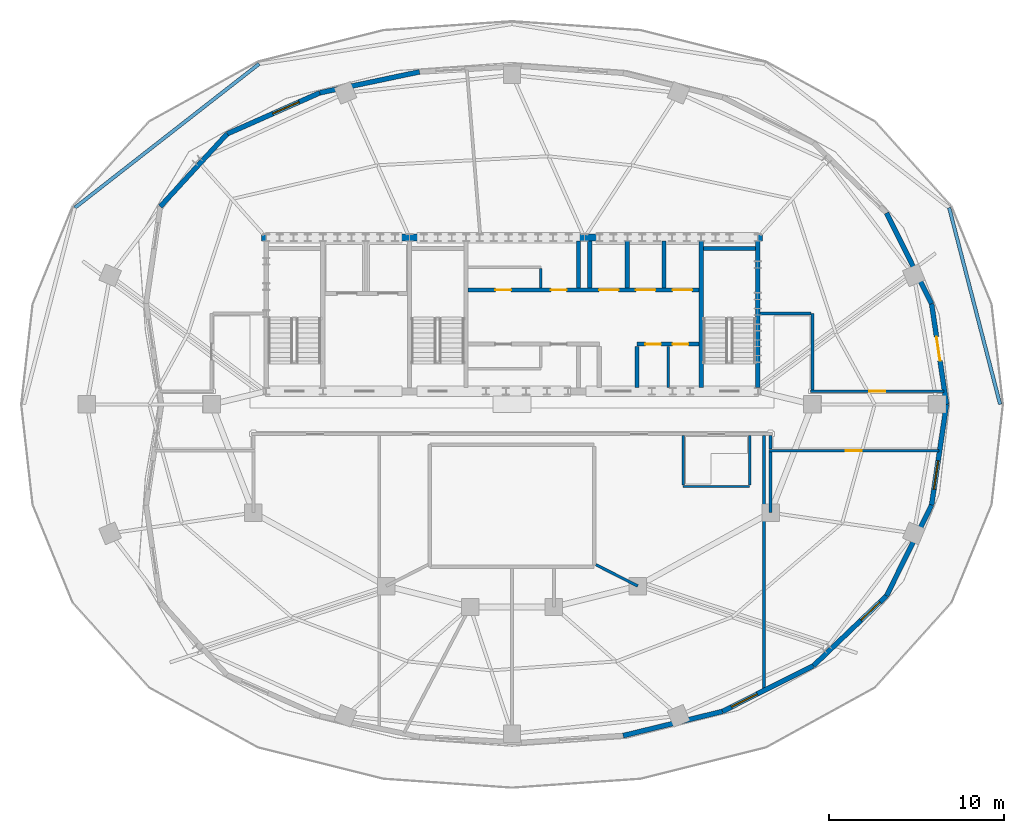
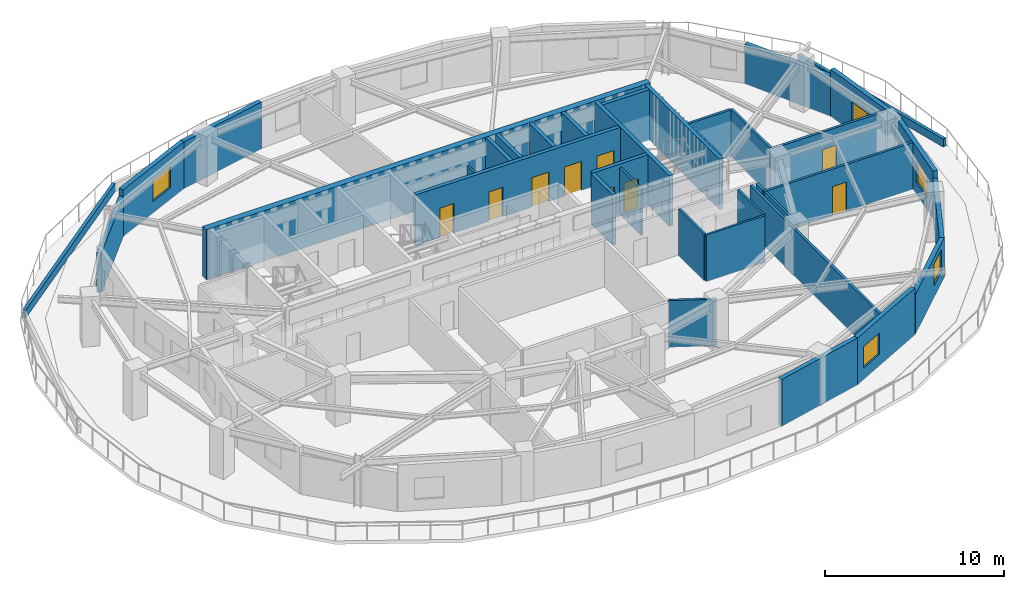
# One storey, part 5 of 10: 36 walls, 10 doors, 4 windows, 14 openings.
"""IFC4 building model written with IfcOpenShell, lengths in metres."""

from ifc_helpers import new_model, si_unit, direction, frame, frame_2d, origin, place, context, subcontext, project, spatial, rectangle, extrude, material, layer, layer_set, type_object, element, fill, save


model = new_model("IFC4")

# Units and contexts
model_context = context("Model", 3, precision=1e-05, world=origin(), true_north=direction((0.0, 1.0)))
body_context = subcontext(model_context, "Body", "Model", "MODEL_VIEW")
ifc_project = project(units=[si_unit("LENGTHUNIT", "METRE"), si_unit("AREAUNIT", "SQUARE_METRE"), si_unit("VOLUMEUNIT", "CUBIC_METRE"), si_unit("PLANEANGLEUNIT", "RADIAN"), si_unit("MASSUNIT", "GRAM", prefix="KILO")], contexts=[model_context])

# Site, building, storey
site_placement = place(None, origin())
site = spatial("IfcSite", under=ifc_project, at=site_placement, CompositionType="ELEMENT")
building_placement = place(site_placement, origin())
building = spatial("IfcBuilding", under=site, at=building_placement, Name="Haldorwick Loom Tower", CompositionType="ELEMENT")
storey_placement = place(building_placement, frame((0.0, 0.0, 240.89990234375)))
storey = spatial("IfcBuildingStorey", under=building, at=storey_placement, Name="L65", CompositionType="ELEMENT", Elevation=240.89990234375)

# Wall, opening, door
ifc_material_1 = material(Name="Pressed Clay Face Brick and Insulated Masonry Backup Assembly", Category="masonry")
ifc_layer_1 = layer(ifc_material_1, 0.280029296875, Name="Pressed Clay Face Brick and Insulated Masonry Backup Assembly", Category="masonry")
ifc_layer_set_1 = layer_set([ifc_layer_1], Name="Pressed Clay Face Brick and Insulated Masonry Backup Assembly")
wall_type_1 = type_object("IfcWallType", Name="ARC-WL-EXT280", PredefinedType="STANDARD", material=ifc_layer_set_1)
wall_1_placement = place(storey_placement, frame((60.876708984375, 26.0, 0.0), z_axis=(0.0, 0.0, 1.0), x_axis=(-0.146925090295, 0.989147621865, 0.0)))
wall_1 = element("IfcWall", 1, at=wall_1_placement, inside=storey, type_object=wall_type_1, Name="L65 Brick Pier and Spandrel Wall 1", PredefinedType="STANDARD", context=body_context, shape_type="SweptSolid", body=[
    extrude(rectangle(XDim=5.8291015625, YDim=0.280029296875, at=frame_2d((2.91455078125, 0.0))), origin(), (0.0, 0.0, 1.0), 3.210205078125),
])
opening_1_placement = place(wall_1_placement, frame((2.516845703125, 0.0, 0.0)))
opening_1 = element("IfcOpeningElement", 2, at=opening_1_placement, cuts=wall_1, Name="Opening D-TR14", PredefinedType="OPENING", context=body_context, shape_type="SweptSolid", body=[
    extrude(rectangle(XDim=1.39990234375, YDim=2.0400390625, at=frame_2d((0.699951171875, 1.02001953125))), frame((0.0, 0.14990234375, 0.0), z_axis=(0.0, -1.0, 0.0), x_axis=(1.0, 0.0, 0.0)), (0.0, 0.0, 1.0), 0.300048828125),
])
ifc_material_2 = material(Name="Thermally Broken Anodized Aluminium Curtain Wall Framing", Category="aluminium")
door_type_1 = type_object("IfcDoorType", Name="ARC-DR-EXT-TER", OperationType="DOUBLE_DOOR_SINGLE_SWING", PredefinedType="DOOR", material=ifc_material_2)
door_1_placement = place(opening_1_placement, origin())
door_1 = element("IfcDoor", 3, at=door_1_placement, inside=storey, type_object=door_type_1, Name="L65 Outdoor Terrace Door SLB-L65-TERR-1", OperationType="DOUBLE_DOOR_SINGLE_SWING", OverallHeight=2.0400390625, OverallWidth=1.39990234375, PredefinedType="DOOR", context=body_context, shape_type="SweptSolid", body=[
    extrude(rectangle(XDim=1.39990234375, YDim=2.0400390625, at=frame_2d((0.699951171875, 1.02001953125))), frame((0.0, 0.02490234375, 0.0), z_axis=(0.0, -1.0, 0.0), x_axis=(1.0, 0.0, 0.0)), (0.0, 0.0, 1.0), 0.050048828125),
])
fill(opening_1, door_1)

# Walls
wall_2_placement = place(storey_placement, frame((60.020263671875, 31.765869140625, 0.0), z_axis=(0.0, 0.0, 1.0), x_axis=(-0.444718032472, 0.895670626734, 0.0)))
element("IfcWall", 4, at=wall_2_placement, inside=storey, type_object=wall_type_1, Name="L65 Brick Pier and Spandrel Wall 2", PredefinedType="STANDARD", context=body_context, shape_type="SweptSolid", body=[
    extrude(rectangle(XDim=5.795654296875, YDim=0.280029296875, at=frame_2d((2.89794921875, 0.0))), origin(), (0.0, 0.0, 1.0), 2.718994140625),
])
wall_3_placement = place(storey_placement, frame((30.705810546875, 45.0361328125, 0.0), z_axis=(0.0, 0.0, 1.0), x_axis=(-0.978668648416, -0.205445069565, 0.0)))
element("IfcWall", 5, at=wall_3_placement, inside=storey, type_object=wall_type_1, Name="L65 Brick Pier and Spandrel Wall 8", PredefinedType="STANDARD", context=body_context, shape_type="SweptSolid", body=[
    extrude(rectangle(XDim=5.83251953125, YDim=0.280029296875, at=frame_2d((2.916259765625, 0.0))), origin(), (0.0, 0.0, 1.0), 3.210205078125),
])

# Wall, opening, window
wall_4_placement = place(storey_placement, frame((24.997802734375, 43.837890625, 0.0), z_axis=(0.0, 0.0, 1.0), x_axis=(-0.914119811153, -0.405444164906, 0.0)))
wall_4 = element("IfcWall", 6, at=wall_4_placement, inside=storey, type_object=wall_type_1, Name="L65 Brick Pier and Spandrel Wall 9", PredefinedType="STANDARD", context=body_context, shape_type="SweptSolid", body=[
    extrude(rectangle(XDim=5.808349609375, YDim=0.280029296875, at=frame_2d((2.904296875, 0.0))), origin(), (0.0, 0.0, 1.0), 3.210205078125),
])
opening_2_placement = place(wall_4_placement, frame((1.299560546875, 0.0, 0.800048828125)))
opening_2 = element("IfcOpeningElement", 7, at=opening_2_placement, cuts=wall_4, Name="Opening W-01B", PredefinedType="OPENING", context=body_context, shape_type="SweptSolid", body=[
    extrude(rectangle(XDim=1.64990234375, YDim=1.449951171875, at=frame_2d((0.824951171875, 0.72509765625))), frame((0.0, 0.14990234375, 0.0), z_axis=(0.0, -1.0, 0.0), x_axis=(1.0, 0.0, 0.0)), (0.0, 0.0, 1.0), 0.300048828125),
])
ifc_material_3 = material(Name="Triple-Glazed Low-E Argon Insulated Glazing Unit", Category="glass")
window_type_1 = type_object("IfcWindowType", Name="ARC-WIN-W165", PartitioningType="SINGLE_PANEL", PredefinedType="WINDOW", material=ifc_material_3)
window_1_placement = place(opening_2_placement, origin())
window_1 = element("IfcWindow", 8, at=window_1_placement, inside=storey, type_object=window_type_1, Name="L65 Deep-Set Zone 7A Window 9", OverallHeight=1.449951171875, OverallWidth=1.64990234375, PartitioningType="SINGLE_PANEL", PredefinedType="WINDOW", context=body_context, shape_type="SweptSolid", body=[
    extrude(rectangle(XDim=1.64990234375, YDim=1.449951171875, at=frame_2d((0.824951171875, 0.72509765625))), frame((0.0, 0.030029296875, 0.0), z_axis=(0.0, -1.0, 0.0), x_axis=(1.0, 0.0, 0.0)), (0.0, 0.0, 1.0), 0.06005859375),
])
fill(opening_2, window_1)

# Walls
wall_5_placement = place(storey_placement, frame((19.688232421875, 41.48291015625, 0.0), z_axis=(0.0, 0.0, 1.0), x_axis=(-0.676865404292, -0.736106802355, 0.0)))
element("IfcWall", 9, at=wall_5_placement, inside=storey, type_object=wall_type_1, Name="L65 Brick Pier and Spandrel Wall 10", PredefinedType="STANDARD", context=body_context, shape_type="SweptSolid", body=[
    extrude(rectangle(XDim=5.64599609375, YDim=0.280029296875, at=frame_2d((2.822998046875, 0.0))), origin(), (0.0, 0.0, 1.0), 2.718994140625),
])
wall_6_placement = place(storey_placement, frame((42.3662109375, 7.036376953125, 0.0), z_axis=(0.0, 0.0, 1.0), x_axis=(0.971581740819, 0.236704290005, 0.0)))
element("IfcWall", 10, at=wall_6_placement, inside=storey, type_object=wall_type_1, Name="L65 Brick Pier and Spandrel Wall 20", PredefinedType="STANDARD", context=body_context, shape_type="SweptSolid", body=[
    extrude(rectangle(XDim=5.845947265625, YDim=0.280029296875, at=frame_2d((2.9228515625, 0.0))), origin(), (0.0, 0.0, 1.0), 3.210205078125),
])

# Wall, opening, window
wall_7_placement = place(storey_placement, frame((48.046142578125, 8.420166015625, 0.0), z_axis=(0.0, 0.0, 1.0), x_axis=(0.89383996776, 0.44838611936, 0.0)))
wall_7 = element("IfcWall", 11, at=wall_7_placement, inside=storey, type_object=wall_type_1, Name="L65 Brick Pier and Spandrel Wall 21", PredefinedType="STANDARD", context=body_context, shape_type="SweptSolid", body=[
    extrude(rectangle(XDim=5.828125, YDim=0.280029296875, at=frame_2d((2.9140625, 0.0))), origin(), (0.0, 0.0, 1.0), 3.210205078125),
])
opening_3_placement = place(wall_7_placement, frame((0.581298828125, 0.0, 0.800048828125)))
opening_3 = element("IfcOpeningElement", 12, at=opening_3_placement, cuts=wall_7, Name="Opening W-01B", PredefinedType="OPENING", context=body_context, shape_type="SweptSolid", body=[
    extrude(rectangle(XDim=1.64990234375, YDim=1.449951171875, at=frame_2d((0.824951171875, 0.72509765625))), frame((0.0, 0.14990234375, 0.0), z_axis=(0.0, -1.0, 0.0), x_axis=(1.0, 0.0, 0.0)), (0.0, 0.0, 1.0), 0.300048828125),
])
window_2_placement = place(opening_3_placement, origin())
window_2 = element("IfcWindow", 13, at=window_2_placement, inside=storey, type_object=window_type_1, Name="L65 Deep-Set Zone 7A Window 21", OverallHeight=1.449951171875, OverallWidth=1.64990234375, PartitioningType="SINGLE_PANEL", PredefinedType="WINDOW", context=body_context, shape_type="SweptSolid", body=[
    extrude(rectangle(XDim=1.64990234375, YDim=1.449951171875, at=frame_2d((0.824951171875, 0.72509765625))), frame((0.0, 0.030029296875, 0.0), z_axis=(0.0, -1.0, 0.0), x_axis=(1.0, 0.0, 0.0)), (0.0, 0.0, 1.0), 0.06005859375),
])
fill(opening_3, window_2)

wall_8_placement = place(storey_placement, frame((53.255615234375, 11.033447265625, 0.0), z_axis=(0.0, 0.0, 1.0), x_axis=(0.722248481003, 0.691633668707, 0.0)))
wall_8 = element("IfcWall", 14, at=wall_8_placement, inside=storey, type_object=wall_type_1, Name="L65 Brick Pier and Spandrel Wall 22", PredefinedType="STANDARD", context=body_context, shape_type="SweptSolid", body=[
    extrude(rectangle(XDim=5.797607421875, YDim=0.280029296875, at=frame_2d((2.89892578125, 0.0))), origin(), (0.0, 0.0, 1.0), 2.718994140625),
])
opening_4_placement = place(wall_8_placement, frame((3.776611328125, 0.0, 0.800048828125)))
opening_4 = element("IfcOpeningElement", 15, at=opening_4_placement, cuts=wall_8, Name="Opening W-02", PredefinedType="OPENING", context=body_context, shape_type="SweptSolid", body=[
    extrude(rectangle(XDim=1.5, YDim=1.47998046875, at=frame_2d((0.75, 0.739990234375))), frame((0.0, 0.14990234375, 0.0), z_axis=(0.0, -1.0, 0.0), x_axis=(1.0, 0.0, 0.0)), (0.0, 0.0, 1.0), 0.300048828125),
])
window_type_2 = type_object("IfcWindowType", Name="ARC-WIN-W150", PartitioningType="SINGLE_PANEL", PredefinedType="WINDOW", material=ifc_material_3)
window_3_placement = place(opening_4_placement, origin())
window_3 = element("IfcWindow", 16, at=window_3_placement, inside=storey, type_object=window_type_2, Name="L65 Deep-Set Zone 7A Window 22", OverallHeight=1.47998046875, OverallWidth=1.5, PartitioningType="SINGLE_PANEL", PredefinedType="WINDOW", context=body_context, shape_type="SweptSolid", body=[
    extrude(rectangle(XDim=1.5, YDim=1.47998046875, at=frame_2d((0.75, 0.739990234375))), frame((0.0, 0.030029296875, 0.0), z_axis=(0.0, -1.0, 0.0), x_axis=(1.0, 0.0, 0.0)), (0.0, 0.0, 1.0), 0.06005859375),
])
fill(opening_4, window_3)

# Wall
wall_9_placement = place(storey_placement, frame((57.44287109375, 15.043212890625, 0.0), z_axis=(0.0, 0.0, 1.0), x_axis=(0.444718032472, 0.895670626734, 0.0)))
element("IfcWall", 17, at=wall_9_placement, inside=storey, type_object=wall_type_1, Name="L65 Brick Pier and Spandrel Wall 23", PredefinedType="STANDARD", context=body_context, shape_type="SweptSolid", body=[
    extrude(rectangle(XDim=5.795654296875, YDim=0.280029296875, at=frame_2d((2.89794921875, 0.0))), origin(), (0.0, 0.0, 1.0), 2.718994140625),
])

# Wall, opening, window
wall_10_placement = place(storey_placement, frame((60.020263671875, 20.234130859375, 0.0), z_axis=(0.0, 0.0, 1.0), x_axis=(0.146925090295, 0.989147621865, 0.0)))
wall_10 = element("IfcWall", 18, at=wall_10_placement, inside=storey, type_object=wall_type_1, Name="L65 Brick Pier and Spandrel Wall 24", PredefinedType="STANDARD", context=body_context, shape_type="SweptSolid", body=[
    extrude(rectangle(XDim=5.8291015625, YDim=0.280029296875, at=frame_2d((2.91455078125, 0.0))), origin(), (0.0, 0.0, 1.0), 3.210205078125),
])
opening_5_placement = place(wall_10_placement, frame((0.923828125, 0.0, 0.800048828125)))
opening_5 = element("IfcOpeningElement", 19, at=opening_5_placement, cuts=wall_10, Name="Opening W-01B", PredefinedType="OPENING", context=body_context, shape_type="SweptSolid", body=[
    extrude(rectangle(XDim=1.64990234375, YDim=1.449951171875, at=frame_2d((0.824951171875, 0.72509765625))), frame((0.0, 0.14990234375, 0.0), z_axis=(0.0, -1.0, 0.0), x_axis=(1.0, 0.0, 0.0)), (0.0, 0.0, 1.0), 0.300048828125),
])
window_4_placement = place(opening_5_placement, origin())
window_4 = element("IfcWindow", 20, at=window_4_placement, inside=storey, type_object=window_type_1, Name="L65 Deep-Set Zone 7A Window 24", OverallHeight=1.449951171875, OverallWidth=1.64990234375, PartitioningType="SINGLE_PANEL", PredefinedType="WINDOW", context=body_context, shape_type="SweptSolid", body=[
    extrude(rectangle(XDim=1.64990234375, YDim=1.449951171875, at=frame_2d((0.824951171875, 0.72509765625))), frame((0.0, 0.030029296875, 0.0), z_axis=(0.0, -1.0, 0.0), x_axis=(1.0, 0.0, 0.0)), (0.0, 0.0, 1.0), 0.06005859375),
])
fill(opening_5, window_4)

# Wall, opening, door
ifc_material_4 = material(Name="Fire-Rated Type X Gypsum Stud Assembly EI 60")
ifc_layer_2 = layer(ifc_material_4, 0.159912109375, Name="Fire-Rated Type X Gypsum Stud Assembly EI 60")
ifc_layer_set_2 = layer_set([ifc_layer_2], Name="Fire-Rated Type X Gypsum Stud Assembly EI 60")
wall_type_2 = type_object("IfcWallType", Name="ARC-WL-FIRE160", PredefinedType="PARTITIONING", material=ifc_layer_set_2)
wall_11_placement = place(storey_placement, frame((50.699951171875, 23.35009765625, 0.0), z_axis=(0.0, 0.0, 1.0), x_axis=(1.0, 0.0, 0.0)))
wall_11 = element("IfcWall", 21, at=wall_11_placement, inside=storey, type_object=wall_type_2, Name="L65 Residential Fire Partition L65-CR-SPE", PredefinedType="PARTITIONING", context=body_context, shape_type="SweptSolid", body=[
    extrude(rectangle(XDim=9.73779296875, YDim=0.159912109375, at=frame_2d((4.868896484375, 0.0))), origin(), (0.0, 0.0, 1.0), 3.195068359375),
])
opening_6_placement = place(wall_11_placement, frame((4.418701171875, 0.0, 0.0)))
opening_6 = element("IfcOpeningElement", 22, at=opening_6_placement, cuts=wall_11, Name="Opening D-FD60A", PredefinedType="OPENING", context=body_context, shape_type="SweptSolid", body=[
    extrude(rectangle(XDim=0.89990234375, YDim=2.0, at=frame_2d((0.449951171875, 1.0))), frame((0.0, 0.08984375, 0.0), z_axis=(0.0, -1.0, 0.0), x_axis=(1.0, 0.0, 0.0)), (0.0, 0.0, 1.0), 0.179931640625),
])
ifc_material_5 = material(Name="Hollow Steel Fire Door Assembly", Category="steel")
door_type_2 = type_object("IfcDoorType", Name="ARC-DR-FD60-90", OperationType="NOTDEFINED", PredefinedType="DOOR", material=ifc_material_5)
door_2_placement = place(opening_6_placement, origin())
door_2 = element("IfcDoor", 23, at=door_2_placement, inside=storey, type_object=door_type_2, Name="L65 L65 Central Residential Corridor to Community Teaching Classroom 2 D", OperationType="SINGLE_SWING_RIGHT", OverallHeight=2.0, OverallWidth=0.89990234375, PredefinedType="DOOR", context=body_context, shape_type="SweptSolid", body=[
    extrude(rectangle(XDim=0.89990234375, YDim=2.0, at=frame_2d((0.449951171875, 1.0))), frame((0.0, 0.02490234375, 0.0), z_axis=(0.0, -1.0, 0.0), x_axis=(1.0, 0.0, 0.0)), (0.0, 0.0, 1.0), 0.050048828125),
])
fill(opening_6, door_2)

# Wall
wall_12_placement = place(storey_placement, frame((50.800048828125, 23.43310546875, 0.0), z_axis=(0.0, 0.0, 1.0), x_axis=(0.0, 1.0, 0.0)))
element("IfcWall", 24, at=wall_12_placement, inside=storey, type_object=wall_type_2, Name="L65 Residential Fire Partition L65-CR-STE", PredefinedType="PARTITIONING", context=body_context, shape_type="SweptSolid", body=[
    extrude(rectangle(XDim=0.783935546875, YDim=0.159912109375, at=frame_2d((0.39208984375, 0.0))), origin(), (0.0, 0.0, 1.0), 3.195068359375),
])

# Wall, opening, door
wall_13_placement = place(storey_placement, frame((53.10009765625, 26.75, 0.0), z_axis=(0.0, 0.0, 1.0), x_axis=(1.0, 0.0, 0.0)))
wall_13 = element("IfcWall", 25, at=wall_13_placement, inside=storey, type_object=wall_type_2, Name="L65 Residential Fire Partition L65-CR-NEL", PredefinedType="PARTITIONING", context=body_context, shape_type="SweptSolid", body=[
    extrude(rectangle(XDim=7.619873046875, YDim=0.159912109375, at=frame_2d((3.81005859375, 0.0))), origin(), (0.0, 0.0, 1.0), 3.195068359375),
])
opening_7_placement = place(wall_13_placement, frame((3.360107421875, 0.0, 0.0)))
opening_7 = element("IfcOpeningElement", 26, at=opening_7_placement, cuts=wall_13, Name="Opening D-FD60A", PredefinedType="OPENING", context=body_context, shape_type="SweptSolid", body=[
    extrude(rectangle(XDim=0.89990234375, YDim=2.0, at=frame_2d((0.449951171875, 1.0))), frame((0.0, 0.08984375, 0.0), z_axis=(0.0, -1.0, 0.0), x_axis=(1.0, 0.0, 0.0)), (0.0, 0.0, 1.0), 0.179931640625),
])
door_3_placement = place(opening_7_placement, frame((0.89990234375, 0.0, 0.0), z_axis=(0.0, 0.0, 1.0), x_axis=(-1.0, 0.0, 0.0)))
door_3 = element("IfcDoor", 27, at=door_3_placement, inside=storey, type_object=door_type_2, Name="L65 Community Teaching Classroom 3 to L65 Central Residential Corridor D", OperationType="SINGLE_SWING_LEFT", OverallHeight=2.0, OverallWidth=0.89990234375, PredefinedType="DOOR", context=body_context, shape_type="SweptSolid", body=[
    extrude(rectangle(XDim=0.89990234375, YDim=2.0, at=frame_2d((0.449951171875, 1.0))), frame((0.0, 0.02490234375, 0.0), z_axis=(0.0, -1.0, 0.0), x_axis=(1.0, 0.0, 0.0)), (0.0, 0.0, 1.0), 0.050048828125),
])
fill(opening_7, door_3)

# Walls
wall_14_placement = place(storey_placement, frame((53.199951171875, 26.8330078125, 0.0), z_axis=(0.0, 0.0, 1.0), x_axis=(0.0, 1.0, 0.0)))
element("IfcWall", 28, at=wall_14_placement, inside=storey, type_object=wall_type_2, Name="L65 Residential Fire Partition L65-CR-E0", PredefinedType="PARTITIONING", context=body_context, shape_type="SweptSolid", body=[
    extrude(rectangle(XDim=4.366943359375, YDim=0.159912109375, at=frame_2d((2.18359375, 0.0))), origin(), (0.0, 0.0, 1.0), 3.195068359375),
])
wall_15_placement = place(storey_placement, frame((50.193115234375, 31.199951171875, 0.0), z_axis=(0.0, 0.0, 1.0), x_axis=(1.0, 0.0, 0.0)))
element("IfcWall", 29, at=wall_15_placement, inside=storey, type_object=wall_type_2, Name="L65 Residential Fire Partition L65-CR-ENJ", PredefinedType="PARTITIONING", context=body_context, shape_type="SweptSolid", body=[
    extrude(rectangle(XDim=2.923828125, YDim=0.159912109375, at=frame_2d((1.4619140625, 0.0))), origin(), (0.0, 0.0, 1.0), 3.195068359375),
])
wall_16_placement = place(storey_placement, frame((50.800048828125, 23.26708984375, 0.0), z_axis=(0.0, 0.0, 1.0), x_axis=(0.0, -1.0, 0.0)))
element("IfcWall", 30, at=wall_16_placement, inside=storey, type_object=wall_type_2, Name="L65 Residential Fire Partition L65-ICA-01", PredefinedType="PARTITIONING", context=body_context, shape_type="SweptSolid", body=[
    extrude(rectangle(XDim=3.467041015625, YDim=0.159912109375, at=frame_2d((1.7333984375, 0.0))), origin(), (0.0, 0.0, 1.0), 3.195068359375),
])
wall_17_placement = place(storey_placement, frame((40.802978515625, 16.822021484375, 0.0), z_axis=(0.0, 0.0, 1.0), x_axis=(0.890915506237, -0.454169088278, 0.0)))
element("IfcWall", 31, at=wall_17_placement, inside=storey, type_object=wall_type_2, Name="L65 Residential Fire Partition L65-ICA-02", PredefinedType="PARTITIONING", context=body_context, shape_type="SweptSolid", body=[
    extrude(rectangle(XDim=2.6904296875, YDim=0.159912109375, at=frame_2d((1.34521484375, 0.0))), origin(), (0.0, 0.0, 1.0), 3.195068359375),
])
wall_18_placement = place(storey_placement, frame((50.4296875, 9.666259765625, 0.0), z_axis=(0.0, 0.0, 1.0), x_axis=(0.0, 1.0, 0.0)))
element("IfcWall", 32, at=wall_18_placement, inside=storey, type_object=wall_type_2, Name="L65 Suite Split Wall", PredefinedType="PARTITIONING", context=body_context, shape_type="SweptSolid", body=[
    extrude(rectangle(XDim=14.55078125, YDim=0.159912109375, at=frame_2d((7.275390625, 0.0))), origin(), (0.0, 0.0, 1.0), 3.195068359375),
])
ifc_layer_3 = layer(ifc_material_1, 0.199951171875, Name="Pressed Clay Face Brick and Insulated Masonry Backup Assembly", Category="masonry")
ifc_layer_set_3 = layer_set([ifc_layer_3], Name="Pressed Clay Face Brick and Insulated Masonry Backup Assembly")
wall_type_3 = type_object("IfcWallType", Name="ARC-WL-PARAPET200", PredefinedType="PARAPET", material=ifc_layer_set_3)
wall_19_placement = place(storey_placement, frame((10.973388671875, 37.255126953125, 0.0), z_axis=(0.0, 0.0, 1.0), x_axis=(0.788153493992, 0.615478732296, 0.0)))
element("IfcWall", 33, at=wall_19_placement, inside=storey, type_object=wall_type_3, Name="L65 Terrace Masonry Parapet 2", PredefinedType="PARAPET", context=body_context, shape_type="SweptSolid", body=[
    extrude(rectangle(XDim=13.38525390625, YDim=0.199951171875, at=frame_2d((6.692626953125, 0.0))), origin(), (0.0, 0.0, 1.0), 0.550048828125),
])
wall_20_placement = place(storey_placement, frame((61.026611328125, 37.255126953125, 0.0), z_axis=(0.0, 0.0, 1.0), x_axis=(0.250979647421, -0.967992363906, 0.0)))
element("IfcWall", 34, at=wall_20_placement, inside=storey, type_object=wall_type_3, Name="L65 Terrace Masonry Parapet 6", PredefinedType="PARAPET", context=body_context, shape_type="SweptSolid", body=[
    extrude(rectangle(XDim=11.627197265625, YDim=0.199951171875, at=frame_2d((5.8134765625, 0.0))), origin(), (0.0, 0.0, 1.0), 0.550048828125),
])
ifc_layer_4 = layer(ifc_material_4, 0.139892578125, Name="Fire-Rated Type X Gypsum Stud Assembly EI 60")
ifc_layer_set_4 = layer_set([ifc_layer_4], Name="Fire-Rated Type X Gypsum Stud Assembly EI 60")
wall_type_4 = type_object("IfcWallType", Name="ARC-WL-PART140", PredefinedType="PARTITIONING", material=ifc_layer_set_4)
wall_21_placement = place(storey_placement, frame((37.64990234375, 32.673095703125, 0.0), z_axis=(0.0, 0.0, 1.0), x_axis=(0.0, 1.0, 0.0)))
element("IfcWall", 35, at=wall_21_placement, inside=storey, type_object=wall_type_4, Name="L65 Storage East Partition", PredefinedType="PARTITIONING", context=body_context, shape_type="SweptSolid", body=[
    extrude(rectangle(XDim=1.10400390625, YDim=0.139892578125, at=frame_2d((0.552001953125, 0.0))), origin(), (0.0, 0.0, 1.0), 3.195068359375),
])
wall_22_placement = place(storey_placement, frame((44.949951171875, 26.952880859375, 0.0), z_axis=(0.0, 0.0, 1.0), x_axis=(0.0, 1.0, 0.0)))
element("IfcWall", 36, at=wall_22_placement, inside=storey, type_object=wall_type_4, Name="L65 Service Partition", PredefinedType="PARTITIONING", context=body_context, shape_type="SweptSolid", body=[
    extrude(rectangle(XDim=2.3740234375, YDim=0.139892578125, at=frame_2d((1.18701171875, 0.0))), origin(), (0.0, 0.0, 1.0), 3.195068359375),
])
wall_23_placement = place(storey_placement, frame((45.800048828125, 21.300048828125, 0.0), z_axis=(0.0, 0.0, 1.0), x_axis=(1.0, 0.0, 0.0)))
element("IfcWall", 37, at=wall_23_placement, inside=storey, type_object=wall_type_4, Name="L65 Residential Fire Partition L65-CWC-S", PredefinedType="PARTITIONING", context=body_context, shape_type="SweptSolid", body=[
    extrude(rectangle(XDim=3.800048828125, YDim=0.139892578125, at=frame_2d((1.89990234375, 0.0))), origin(), (0.0, 0.0, 1.0), 3.195068359375),
])
for number, where, z_axis, x_axis, name in (
    (38, (45.800048828125, 21.373046875, 0.0), (0.0, 0.0, 1.0), (0.0, 1.0, 0.0), "L65 Residential Fire Partition L65-CWC-W"),
    (39, (49.60009765625, 21.373046875, 0.0), (0.0, 0.0, 1.0), (0.0, 1.0, 0.0), "L65 Residential Fire Partition L65-CWC-E"),
):
    element("IfcWall", number, at=place(storey_placement, frame(where, z_axis=z_axis, x_axis=x_axis)), inside=storey, type_object=wall_type_4, Name=name, PredefinedType="PARTITIONING", context=body_context, shape_type="SweptSolid", body=[
        extrude(rectangle(XDim=2.843994140625, YDim=0.139892578125, at=frame_2d((1.421875, 0.0))), origin(), (0.0, 0.0, 1.0), 3.195068359375),
    ])
ifc_material_6 = material(Name="Concrete C50 (50 MPa)", Category="concrete")
ifc_layer_5 = layer(ifc_material_6, 0.39990234375, Name="Concrete C50 (50 MPa)", Category="concrete")
ifc_layer_set_5 = layer_set([ifc_layer_5], Name="Concrete C50 (50 MPa)")
wall_type_5 = type_object("IfcWallType", Name="STR-WL-CORE400", PredefinedType="SHEAR", material=ifc_layer_set_5)
wall_24_placement = place(storey_placement, frame((50.35009765625, 35.550048828125, 0.0), z_axis=(0.0, 0.0, 1.0), x_axis=(-1.0, 0.0, 0.0)))
element("IfcWall", 40, at=wall_24_placement, inside=storey, type_object=wall_type_5, Name="L65 Core Shear Wall N", PredefinedType="SHEAR", context=body_context, shape_type="SweptSolid", body=[
    extrude(rectangle(XDim=28.7001953125, YDim=0.39990234375, at=frame_2d((14.35009765625, 0.0))), origin(), (0.0, 0.0, 1.0), 3.4501953125),
])
ifc_layer_6 = layer(ifc_material_6, 0.239990234375, Name="Concrete C50 (50 MPa)", Category="concrete")
ifc_layer_set_6 = layer_set([ifc_layer_6], Name="Concrete C50 (50 MPa)")
wall_type_6 = type_object("IfcWallType", Name="STR-WL-SHAFT240", PredefinedType="SHEAR", material=ifc_layer_set_6)
for number, where, z_axis, x_axis, name in (
    (41, (50.070068359375, 26.952880859375, 0.0), (0.0, 0.0, 1.0), (0.0, 1.0, 0.0), "L65 Core Shear Wall E"),
    (42, (46.830078125, 26.952880859375, 0.0), (0.0, 0.0, 1.0), (0.0, 1.0, 0.0), "L65 Core Shear Wall 4"),
):
    element("IfcWall", number, at=place(storey_placement, frame(where, z_axis=z_axis, x_axis=x_axis)), inside=storey, type_object=wall_type_6, Name=name, PredefinedType="SHEAR", context=body_context, shape_type="SweptSolid", body=[
        extrude(rectangle(XDim=8.39404296875, YDim=0.239990234375, at=frame_2d((4.197021484375, 0.0))), origin(), (0.0, 0.0, 1.0), 3.4501953125),
    ])
wall_25_placement = place(storey_placement, frame((46.952880859375, 34.919921875, 0.0), z_axis=(0.0, 0.0, 1.0), x_axis=(1.0, 0.0, 0.0)))
element("IfcWall", 43, at=wall_25_placement, inside=storey, type_object=wall_type_6, Name="L65 Core Shear Wall 4N", PredefinedType="SHEAR", context=body_context, shape_type="SweptSolid", body=[
    extrude(rectangle(XDim=2.994140625, YDim=0.239990234375, at=frame_2d((1.4970703125, 0.0))), origin(), (0.0, 0.0, 1.0), 3.4501953125),
])

# Wall, openings, doors
wall_26_placement = place(storey_placement, frame((33.492919921875, 32.550048828125, 0.0), z_axis=(0.0, 0.0, 1.0), x_axis=(1.0, 0.0, 0.0)))
wall_26 = element("IfcWall", 44, at=wall_26_placement, inside=storey, type_object=wall_type_6, Name="L65 Core Shear Wall LN", PredefinedType="SHEAR", context=body_context, shape_type="SweptSolid", body=[
    extrude(rectangle(XDim=13.214111328125, YDim=0.239990234375, at=frame_2d((6.60693359375, 0.0))), origin(), (0.0, 0.0, 1.0), 3.4501953125),
])
opening_8_placement = place(wall_26_placement, frame((1.556884765625, 0.0, 0.0)))
opening_8 = element("IfcOpeningElement", 45, at=opening_8_placement, cuts=wall_26, Name="Opening D-FD60A", PredefinedType="OPENING", context=body_context, shape_type="SweptSolid", body=[
    extrude(rectangle(XDim=0.89990234375, YDim=2.0, at=frame_2d((0.449951171875, 1.0))), frame((0.0, 0.1298828125, 0.0), z_axis=(0.0, -1.0, 0.0), x_axis=(1.0, 0.0, 0.0)), (0.0, 0.0, 1.0), 0.260009765625),
])
opening_9_placement = place(wall_26_placement, frame((4.737060546875, 0.0, 0.0)))
opening_9 = element("IfcOpeningElement", 46, at=opening_9_placement, cuts=wall_26, Name="Opening D-FD60A", PredefinedType="OPENING", context=body_context, shape_type="SweptSolid", body=[
    extrude(rectangle(XDim=0.89990234375, YDim=2.0, at=frame_2d((0.449951171875, 1.0))), frame((0.0, 0.1298828125, 0.0), z_axis=(0.0, -1.0, 0.0), x_axis=(1.0, 0.0, 0.0)), (0.0, 0.0, 1.0), 0.260009765625),
])
opening_10_placement = place(wall_26_placement, frame((7.4970703125, 0.0, 0.0)))
opening_10 = element("IfcOpeningElement", 47, at=opening_10_placement, cuts=wall_26, Name="Opening LD-H1", PredefinedType="OPENING", context=body_context, shape_type="SweptSolid", body=[
    extrude(rectangle(XDim=1.1201171875, YDim=2.0, at=frame_2d((0.56005859375, 1.0))), frame((0.0, 0.1298828125, 0.0), z_axis=(0.0, -1.0, 0.0), x_axis=(1.0, 0.0, 0.0)), (0.0, 0.0, 1.0), 0.260009765625),
])
opening_11_placement = place(wall_26_placement, frame((9.596923828125, 0.0, 0.0)))
opening_11 = element("IfcOpeningElement", 48, at=opening_11_placement, cuts=wall_26, Name="Opening LD-H2", PredefinedType="OPENING", context=body_context, shape_type="SweptSolid", body=[
    extrude(rectangle(XDim=1.1201171875, YDim=2.0, at=frame_2d((0.56005859375, 1.0))), frame((0.0, 0.1298828125, 0.0), z_axis=(0.0, -1.0, 0.0), x_axis=(1.0, 0.0, 0.0)), (0.0, 0.0, 1.0), 0.260009765625),
])
opening_12_placement = place(wall_26_placement, frame((11.697021484375, 0.0, 0.0)))
opening_12 = element("IfcOpeningElement", 49, at=opening_12_placement, cuts=wall_26, Name="Opening LD-H3", PredefinedType="OPENING", context=body_context, shape_type="SweptSolid", body=[
    extrude(rectangle(XDim=1.1201171875, YDim=2.0, at=frame_2d((0.56005859375, 1.0))), frame((0.0, 0.1298828125, 0.0), z_axis=(0.0, -1.0, 0.0), x_axis=(1.0, 0.0, 0.0)), (0.0, 0.0, 1.0), 0.260009765625),
])
door_4_placement = place(opening_8_placement, frame((0.89990234375, 0.0, 0.0), z_axis=(0.0, 0.0, 1.0), x_axis=(-1.0, 0.0, 0.0)))
door_4 = element("IfcDoor", 50, at=door_4_placement, inside=storey, type_object=door_type_2, Name="L65 Resident Storage Door", OperationType="SINGLE_SWING_LEFT", OverallHeight=2.0, OverallWidth=0.89990234375, PredefinedType="DOOR", context=body_context, shape_type="SweptSolid", body=[
    extrude(rectangle(XDim=0.89990234375, YDim=2.0, at=frame_2d((0.449951171875, 1.0))), frame((0.0, 0.02490234375, 0.0), z_axis=(0.0, -1.0, 0.0), x_axis=(1.0, 0.0, 0.0)), (0.0, 0.0, 1.0), 0.050048828125),
])
fill(opening_8, door_4)
door_5_placement = place(opening_9_placement, frame((0.89990234375, 0.0, 0.0), z_axis=(0.0, 0.0, 1.0), x_axis=(-1.0, 0.0, 0.0)))
door_5 = element("IfcDoor", 51, at=door_5_placement, inside=storey, type_object=door_type_2, Name="L65 Laundry Door", OperationType="SINGLE_SWING_RIGHT", OverallHeight=2.0, OverallWidth=0.89990234375, PredefinedType="DOOR", context=body_context, shape_type="SweptSolid", body=[
    extrude(rectangle(XDim=0.89990234375, YDim=2.0, at=frame_2d((0.449951171875, 1.0))), frame((0.0, 0.02490234375, 0.0), z_axis=(0.0, -1.0, 0.0), x_axis=(1.0, 0.0, 0.0)), (0.0, 0.0, 1.0), 0.050048828125),
])
fill(opening_9, door_5)
door_type_3 = type_object("IfcDoorType", Name="ARC-DR-LD-PAX", OperationType="NOTDEFINED", PredefinedType="USERDEFINED", material=ifc_material_5)
door_6_placement = place(opening_10_placement, origin())
door_6 = element("IfcDoor", 52, at=door_6_placement, inside=storey, type_object=door_type_3, Name="L65 Lift LF-H1 Sliding Landing Door", ObjectType="LANDING DOOR", OperationType="DOUBLE_DOOR_SLIDING", OverallHeight=2.0, OverallWidth=1.1201171875, PredefinedType="USERDEFINED", context=body_context, shape_type="SweptSolid", body=[
    extrude(rectangle(XDim=1.1201171875, YDim=2.0, at=frame_2d((0.56005859375, 1.0))), frame((0.0, 0.02490234375, 0.0), z_axis=(0.0, -1.0, 0.0), x_axis=(1.0, 0.0, 0.0)), (0.0, 0.0, 1.0), 0.050048828125),
])
fill(opening_10, door_6)
door_7_placement = place(opening_11_placement, origin())
door_7 = element("IfcDoor", 53, at=door_7_placement, inside=storey, type_object=door_type_3, Name="L65 Lift LF-H2 Sliding Landing Door", ObjectType="LANDING DOOR", OperationType="DOUBLE_DOOR_SLIDING", OverallHeight=2.0, OverallWidth=1.1201171875, PredefinedType="USERDEFINED", context=body_context, shape_type="SweptSolid", body=[
    extrude(rectangle(XDim=1.1201171875, YDim=2.0, at=frame_2d((0.56005859375, 1.0))), frame((0.0, 0.02490234375, 0.0), z_axis=(0.0, -1.0, 0.0), x_axis=(1.0, 0.0, 0.0)), (0.0, 0.0, 1.0), 0.050048828125),
])
fill(opening_11, door_7)
door_8_placement = place(opening_12_placement, origin())
door_8 = element("IfcDoor", 54, at=door_8_placement, inside=storey, type_object=door_type_3, Name="L65 Lift LF-H3 Sliding Landing Door", ObjectType="LANDING DOOR", OperationType="DOUBLE_DOOR_SLIDING", OverallHeight=2.0, OverallWidth=1.1201171875, PredefinedType="USERDEFINED", context=body_context, shape_type="SweptSolid", body=[
    extrude(rectangle(XDim=1.1201171875, YDim=2.0, at=frame_2d((0.56005859375, 1.0))), frame((0.0, 0.02490234375, 0.0), z_axis=(0.0, -1.0, 0.0), x_axis=(1.0, 0.0, 0.0)), (0.0, 0.0, 1.0), 0.050048828125),
])
fill(opening_12, door_8)

wall_27_placement = place(storey_placement, frame((43.14990234375, 29.449951171875, 0.0), z_axis=(0.0, 0.0, 1.0), x_axis=(1.0, 0.0, 0.0)))
wall_27 = element("IfcWall", 55, at=wall_27_placement, inside=storey, type_object=wall_type_6, Name="L65 Core Shear Wall LS2", PredefinedType="SHEAR", context=body_context, shape_type="SweptSolid", body=[
    extrude(rectangle(XDim=3.55712890625, YDim=0.239990234375, at=frame_2d((1.778564453125, 0.0))), origin(), (0.0, 0.0, 1.0), 3.4501953125),
])
opening_13_placement = place(wall_27_placement, frame((0.47998046875, 0.0, 0.0)))
opening_13 = element("IfcOpeningElement", 56, at=opening_13_placement, cuts=wall_27, Name="Opening D-FD60A", PredefinedType="OPENING", context=body_context, shape_type="SweptSolid", body=[
    extrude(rectangle(XDim=0.89990234375, YDim=2.0, at=frame_2d((0.449951171875, 1.0))), frame((0.0, 0.1298828125, 0.0), z_axis=(0.0, -1.0, 0.0), x_axis=(1.0, 0.0, 0.0)), (0.0, 0.0, 1.0), 0.260009765625),
])
opening_14_placement = place(wall_27_placement, frame((2.050048828125, 0.0, 0.0)))
opening_14 = element("IfcOpeningElement", 57, at=opening_14_placement, cuts=wall_27, Name="Opening D-FD60A", PredefinedType="OPENING", context=body_context, shape_type="SweptSolid", body=[
    extrude(rectangle(XDim=0.89990234375, YDim=2.0, at=frame_2d((0.449951171875, 1.0))), frame((0.0, 0.1298828125, 0.0), z_axis=(0.0, -1.0, 0.0), x_axis=(1.0, 0.0, 0.0)), (0.0, 0.0, 1.0), 0.260009765625),
])
door_9_placement = place(opening_13_placement, origin())
door_9 = element("IfcDoor", 58, at=door_9_placement, inside=storey, type_object=door_type_2, Name="L65 Electrical Room Door", OperationType="SINGLE_SWING_LEFT", OverallHeight=2.0, OverallWidth=0.89990234375, PredefinedType="DOOR", context=body_context, shape_type="SweptSolid", body=[
    extrude(rectangle(XDim=0.89990234375, YDim=2.0, at=frame_2d((0.449951171875, 1.0))), frame((0.0, 0.02490234375, 0.0), z_axis=(0.0, -1.0, 0.0), x_axis=(1.0, 0.0, 0.0)), (0.0, 0.0, 1.0), 0.050048828125),
])
fill(opening_13, door_9)
door_10_placement = place(opening_14_placement, origin())
door_10 = element("IfcDoor", 59, at=door_10_placement, inside=storey, type_object=door_type_2, Name="L65 Cleaner's Store Door", OperationType="SINGLE_SWING_LEFT", OverallHeight=2.0, OverallWidth=0.89990234375, PredefinedType="DOOR", context=body_context, shape_type="SweptSolid", body=[
    extrude(rectangle(XDim=0.89990234375, YDim=2.0, at=frame_2d((0.449951171875, 1.0))), frame((0.0, 0.02490234375, 0.0), z_axis=(0.0, -1.0, 0.0), x_axis=(1.0, 0.0, 0.0)), (0.0, 0.0, 1.0), 0.050048828125),
])
fill(opening_14, door_10)

# Walls
wall_28_placement = place(storey_placement, frame((43.14990234375, 26.952880859375, 0.0), z_axis=(0.0, 0.0, 1.0), x_axis=(0.0, 1.0, 0.0)))
element("IfcWall", 60, at=wall_28_placement, inside=storey, type_object=wall_type_6, Name="L65 Core Shear Wall THE", PredefinedType="SHEAR", context=body_context, shape_type="SweptSolid", body=[
    extrude(rectangle(XDim=2.3740234375, YDim=0.239990234375, at=frame_2d((1.18701171875, 0.0))), origin(), (0.0, 0.0, 1.0), 3.4501953125),
])
for number, where, z_axis, x_axis, name in (
    (61, (39.800048828125, 32.673095703125, 0.0), (0.0, 0.0, 1.0), (0.0, 1.0, 0.0), "L65 Core Shear Wall LHW"),
    (62, (40.449951171875, 32.673095703125, 0.0), (0.0, 0.0, 1.0), (0.0, 1.0, 0.0), "L65 Core Shear Wall H0"),
    (63, (42.60009765625, 32.673095703125, 0.0), (0.0, 0.0, 1.0), (0.0, 1.0, 0.0), "L65 Core Shear Wall H1"),
    (64, (44.699951171875, 32.673095703125, 0.0), (0.0, 0.0, 1.0), (0.0, 1.0, 0.0), "L65 Core Shear Wall H2"),
):
    element("IfcWall", number, at=place(storey_placement, frame(where, z_axis=z_axis, x_axis=x_axis)), inside=storey, type_object=wall_type_6, Name=name, PredefinedType="SHEAR", context=body_context, shape_type="SweptSolid", body=[
        extrude(rectangle(XDim=2.673828125, YDim=0.239990234375, at=frame_2d((1.3369140625, 0.0))), origin(), (0.0, 0.0, 1.0), 3.4501953125),
    ])

save(model, "model.ifc")
